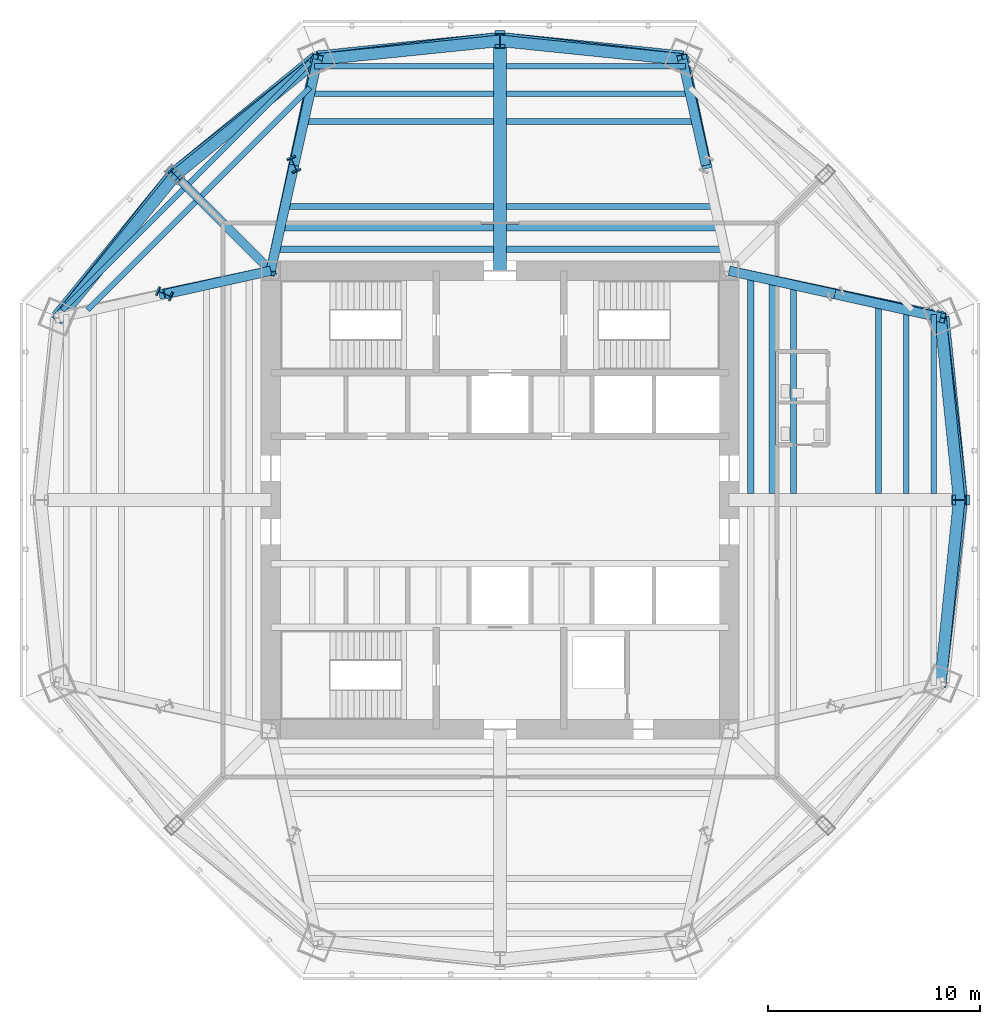
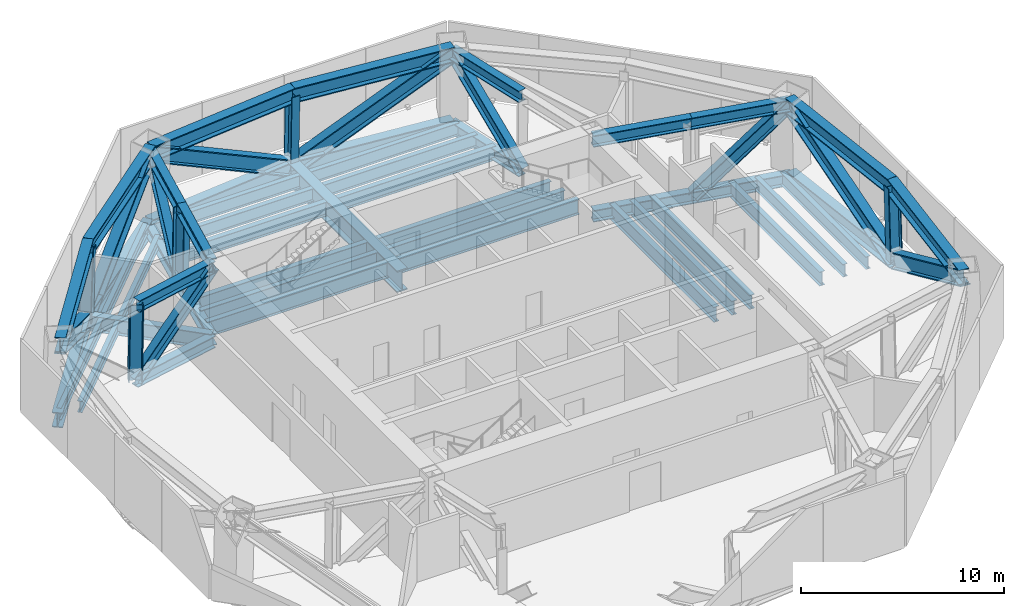
# One storey, part 3 of 10: 39 members, 24 beams.
"""IFC4 building model written with IfcOpenShell, lengths in metres."""

from ifc_helpers import new_model, si_unit, direction, frame, origin, origin_2d, place, context, subcontext, project, spatial, i_section, extrude, source, transform, mapped, material, material_profile, profile_set, type_object, type_shapes, element, save


model = new_model("IFC4")

# Units and contexts
model_context = context("Model", 3, precision=1e-05, world=origin(), true_north=direction((0.0, 1.0)))
body_context = subcontext(model_context, "Body", "Model", "MODEL_VIEW")
ifc_project = project(units=[si_unit("LENGTHUNIT", "METRE"), si_unit("AREAUNIT", "SQUARE_METRE"), si_unit("VOLUMEUNIT", "CUBIC_METRE"), si_unit("PLANEANGLEUNIT", "RADIAN"), si_unit("MASSUNIT", "GRAM", prefix="KILO")], contexts=[model_context])

# Site, building, storey
site_placement = place(None, origin())
site = spatial("IfcSite", under=ifc_project, at=site_placement, CompositionType="ELEMENT")
building_placement = place(site_placement, origin())
building = spatial("IfcBuilding", under=site, at=building_placement, Name="Mashrafa Tower", CompositionType="ELEMENT")
storey_placement = place(building_placement, frame((0.0, 0.0, 193.5)))
storey = spatial("IfcBuildingStorey", under=building, at=storey_placement, Name="L44", CompositionType="ELEMENT", Elevation=193.5)

# Beams
ifc_material_1 = material(Name="Steel ASTM A572 Gr 50", Category="steel")
ifc_material_profile_1 = material_profile(ifc_material_1, i_section(OverallWidth=0.60009765625, OverallDepth=1.300048828125, WebThickness=0.028076171875, FlangeThickness=0.06494140625, at=origin_2d()), Name="H1300X600X28X65")
ifc_profile_set_1 = profile_set([ifc_material_profile_1], Name="Steel ASTM A572 Gr 50")
beam_type_1 = type_object("IfcBeamType", Name="Beam H1300X600X28X65", PredefinedType="BEAM", material=ifc_profile_set_1)
beam_1_placement = place(storey_placement, frame((0.0, 10.800048828125, -0.89990234375), z_axis=(0.0, 1.0, 0.0), x_axis=(-1.0, 0.0, 0.0)))
element("IfcBeam", 1, at=beam_1_placement, inside=storey, type_object=beam_type_1, Name="Radial girder L44 069", PredefinedType="BEAM", context=body_context, shape_type="SweptSolid", body=[
    extrude(i_section(OverallWidth=0.60009765625, OverallDepth=1.300048828125, WebThickness=0.028076171875, FlangeThickness=0.06494140625, at=origin_2d()), origin(), (0.0, 0.0, 1.0), 10.94775390625),
])
ifc_material_2 = material(Name="Steel ASTM A992", Category="steel")
ifc_material_profile_2 = material_profile(ifc_material_2, i_section(OverallWidth=0.256591796875, OverallDepth=0.693359375, WebThickness=0.014404296875, FlangeThickness=0.023681640625, FilletRadius=0.01513671875, at=origin_2d()), Name="W27X114")
ifc_profile_set_2 = profile_set([ifc_material_profile_2], Name="Steel ASTM A992")
beam_type_2 = type_object("IfcBeamType", Name="Beam W27X114", PredefinedType="BEAM", material=ifc_profile_set_2)
for number, where, z_axis, x_axis, name in (
    (2, (-20.617919921875, 8.953125, -0.5966796875), (0.707091595653, 0.707121966394, 0.0), (-0.707121966394, 0.707091595653, 0.0), "Floor beam L44 001"),
    (3, (-14.637451171875, 14.933837890625, -0.5966796875), (0.707121966394, 0.707091595653, 0.0), (-0.707091595653, 0.707121966394, 0.0), "Floor beam L44 010"),
):
    element("IfcBeam", number, at=place(storey_placement, frame(where, z_axis=z_axis, x_axis=x_axis)), inside=storey, type_object=beam_type_2, Name=name, PredefinedType="BEAM", context=body_context, shape_type="SweptSolid", body=[
        extrude(i_section(OverallWidth=0.256591796875, OverallDepth=0.693359375, WebThickness=0.014404296875, FlangeThickness=0.023681640625, FilletRadius=0.01513671875, at=origin_2d()), origin(), (0.0, 0.0, 1.0), 8.03857421875),
    ])
ifc_material_3 = material(Name="Steel ASTM A992", Category="steel")
ifc_material_profile_3 = material_profile(ifc_material_3, i_section(OverallWidth=0.25390625, OverallDepth=0.683349609375, WebThickness=0.012451171875, FlangeThickness=0.01904296875, FilletRadius=0.01513671875, at=origin_2d()), Name="W27X94")
ifc_profile_set_3 = profile_set([ifc_material_profile_3], Name="Steel ASTM A992")
beam_type_3 = type_object("IfcBeamType", Name="Beam W27X94", PredefinedType="BEAM", material=ifc_profile_set_3)
for number, where, z_axis, x_axis, name in (
    (4, (-19.434326171875, 8.95166015625, -0.591552734375), (0.707089833334, 0.707123728633, 0.0), (-0.707123728633, 0.707089833334, 0.0), "Floor beam L44 004"),
    (5, (-14.044921875, 14.34130859375, -0.591552734375), (0.707123728633, 0.707089833334, 0.0), (-0.707089833334, 0.707123728633, 0.0), "Floor beam L44 012"),
):
    element("IfcBeam", number, at=place(storey_placement, frame(where, z_axis=z_axis, x_axis=x_axis)), inside=storey, type_object=beam_type_3, Name=name, PredefinedType="BEAM", context=body_context, shape_type="SweptSolid", body=[
        extrude(i_section(OverallWidth=0.25390625, OverallDepth=0.683349609375, WebThickness=0.012451171875, FlangeThickness=0.01904296875, FilletRadius=0.01513671875, at=origin_2d()), origin(), (0.0, 0.0, 1.0), 7.202880859375),
    ])
ifc_material_4 = material(Name="Steel ASTM A992", Category="steel")
ifc_material_profile_4 = material_profile(ifc_material_4, i_section(OverallWidth=0.2666015625, OverallDepth=0.761962890625, WebThickness=0.014404296875, FlangeThickness=0.021484375, FilletRadius=0.0166015625, at=origin_2d()), Name="W30X116")
ifc_profile_set_4 = profile_set([ifc_material_profile_4], Name="Steel ASTM A992")
beam_type_4 = type_object("IfcBeamType", Name="Beam W30X116", PredefinedType="BEAM", material=ifc_profile_set_4)
beam_2_placement = place(storey_placement, frame((-9.014892578125, 19.139404296875, -0.631103515625), z_axis=(1.0, 0.0, 0.0), x_axis=(0.0, 1.0, 0.0)))
element("IfcBeam", 6, at=beam_2_placement, inside=storey, type_object=beam_type_4, Name="Floor beam L44 023", PredefinedType="BEAM", context=body_context, shape_type="SweptSolid", body=[
    extrude(i_section(OverallWidth=0.2666015625, OverallDepth=0.761962890625, WebThickness=0.014404296875, FlangeThickness=0.021484375, FilletRadius=0.0166015625, at=origin_2d()), origin(), (0.0, 0.0, 1.0), 8.71484375),
])
beam_3_placement = place(storey_placement, frame((-8.735595703125, 20.443603515625, -0.631103515625), z_axis=(1.0, 0.0, 0.0), x_axis=(0.0, 1.0, 0.0)))
element("IfcBeam", 7, at=beam_3_placement, inside=storey, type_object=beam_type_4, Name="Floor beam L44 026", PredefinedType="BEAM", context=body_context, shape_type="SweptSolid", body=[
    extrude(i_section(OverallWidth=0.2666015625, OverallDepth=0.761962890625, WebThickness=0.014404296875, FlangeThickness=0.021484375, FilletRadius=0.0166015625, at=origin_2d()), origin(), (0.0, 0.0, 1.0), 8.435546875),
])
beam_4_placement = place(storey_placement, frame((0.300048828125, 19.139404296875, -0.631103515625), z_axis=(1.0, 0.0, 0.0), x_axis=(0.0, 1.0, 0.0)))
element("IfcBeam", 8, at=beam_4_placement, inside=storey, type_object=beam_type_4, Name="Floor beam L44 037", PredefinedType="BEAM", context=body_context, shape_type="SweptSolid", body=[
    extrude(i_section(OverallWidth=0.2666015625, OverallDepth=0.761962890625, WebThickness=0.014404296875, FlangeThickness=0.021484375, FilletRadius=0.0166015625, at=origin_2d()), origin(), (0.0, 0.0, 1.0), 8.71484375),
])
beam_5_placement = place(storey_placement, frame((0.300048828125, 20.443603515625, -0.631103515625), z_axis=(1.0, 0.0, 0.0), x_axis=(0.0, 1.0, 0.0)))
element("IfcBeam", 9, at=beam_5_placement, inside=storey, type_object=beam_type_4, Name="Floor beam L44 038", PredefinedType="BEAM", context=body_context, shape_type="SweptSolid", body=[
    extrude(i_section(OverallWidth=0.2666015625, OverallDepth=0.761962890625, WebThickness=0.014404296875, FlangeThickness=0.021484375, FilletRadius=0.0166015625, at=origin_2d()), origin(), (0.0, 0.0, 1.0), 8.435546875),
])
beam_6_placement = place(storey_placement, frame((19.139404296875, 9.014892578125, -0.631103515625), z_axis=(0.0, -1.0, 0.0), x_axis=(1.0, 0.0, 0.0)))
element("IfcBeam", 10, at=beam_6_placement, inside=storey, type_object=beam_type_4, Name="Floor beam L44 060", PredefinedType="BEAM", context=body_context, shape_type="SweptSolid", body=[
    extrude(i_section(OverallWidth=0.2666015625, OverallDepth=0.761962890625, WebThickness=0.014404296875, FlangeThickness=0.021484375, FilletRadius=0.0166015625, at=origin_2d()), origin(), (0.0, 0.0, 1.0), 8.71484375),
])
beam_7_placement = place(storey_placement, frame((20.443603515625, 8.735595703125, -0.631103515625), z_axis=(0.0, -1.0, 0.0), x_axis=(1.0, 0.0, 0.0)))
element("IfcBeam", 11, at=beam_7_placement, inside=storey, type_object=beam_type_4, Name="Floor beam L44 063", PredefinedType="BEAM", context=body_context, shape_type="SweptSolid", body=[
    extrude(i_section(OverallWidth=0.2666015625, OverallDepth=0.761962890625, WebThickness=0.014404296875, FlangeThickness=0.021484375, FilletRadius=0.0166015625, at=origin_2d()), origin(), (0.0, 0.0, 1.0), 8.435546875),
])
ifc_material_5 = material(Name="Steel ASTM A992", Category="steel")
ifc_material_profile_5 = material_profile(ifc_material_5, i_section(OverallWidth=0.2919921875, OverallDepth=0.8408203125, WebThickness=0.0146484375, FlangeThickness=0.021728515625, FilletRadius=0.017333984375, at=origin_2d()), Name="W33X130")
ifc_profile_set_5 = profile_set([ifc_material_profile_5], Name="Steel ASTM A992")
beam_type_5 = type_object("IfcBeamType", Name="Beam W33X130", PredefinedType="BEAM", material=ifc_profile_set_5)
for number, where, z_axis, x_axis, name in (
    (12, (-9.294189453125, 17.8349609375, -0.67041015625), (1.0, 0.0, 0.0), (0.0, 1.0, 0.0), "Floor beam L44 022"),
    (13, (0.300048828125, 17.8349609375, -0.67041015625), (1.0, 0.0, 0.0), (0.0, 1.0, 0.0), "Floor beam L44 036"),
    (14, (17.8349609375, 9.294189453125, -0.67041015625), (0.0, -1.0, 0.0), (1.0, 0.0, 0.0), "Floor beam L44 058"),
):
    element("IfcBeam", number, at=place(storey_placement, frame(where, z_axis=z_axis, x_axis=x_axis)), inside=storey, type_object=beam_type_5, Name=name, PredefinedType="BEAM", context=body_context, shape_type="SweptSolid", body=[
        extrude(i_section(OverallWidth=0.2919921875, OverallDepth=0.8408203125, WebThickness=0.0146484375, FlangeThickness=0.021728515625, FilletRadius=0.017333984375, at=origin_2d()), origin(), (0.0, 0.0, 1.0), 8.994140625),
    ])
ifc_material_6 = material(Name="Steel ASTM A992", Category="steel")
ifc_material_profile_6 = material_profile(ifc_material_6, i_section(OverallWidth=0.2919921875, OverallDepth=0.845703125, WebThickness=0.015380859375, FlangeThickness=0.0244140625, FilletRadius=0.017333984375, at=origin_2d()), Name="W33X141")
ifc_profile_set_6 = profile_set([ifc_material_profile_6], Name="Steel ASTM A992")
beam_type_6 = type_object("IfcBeamType", Name="Beam W33X141", PredefinedType="BEAM", material=ifc_profile_set_6)
beam_8_placement = place(storey_placement, frame((-10.366943359375, 12.8232421875, -0.6728515625), z_axis=(1.0, 0.0, 0.0), x_axis=(0.0, 1.0, 0.0)))
element("IfcBeam", 15, at=beam_8_placement, inside=storey, type_object=beam_type_6, Name="Floor beam L44 020", PredefinedType="BEAM", context=body_context, shape_type="SweptSolid", body=[
    extrude(i_section(OverallWidth=0.2919921875, OverallDepth=0.845703125, WebThickness=0.015380859375, FlangeThickness=0.0244140625, FilletRadius=0.017333984375, at=origin_2d()), origin(), (0.0, 0.0, 1.0), 10.06689453125),
])
beam_9_placement = place(storey_placement, frame((-10.150390625, 13.8349609375, -0.6728515625), z_axis=(1.0, 0.0, 0.0), x_axis=(0.0, 1.0, 0.0)))
element("IfcBeam", 16, at=beam_9_placement, inside=storey, type_object=beam_type_6, Name="Floor beam L44 021", PredefinedType="BEAM", context=body_context, shape_type="SweptSolid", body=[
    extrude(i_section(OverallWidth=0.2919921875, OverallDepth=0.845703125, WebThickness=0.015380859375, FlangeThickness=0.0244140625, FilletRadius=0.017333984375, at=origin_2d()), origin(), (0.0, 0.0, 1.0), 9.850341796875),
])
beam_10_placement = place(storey_placement, frame((0.300048828125, 12.8232421875, -0.6728515625), z_axis=(1.0, 0.0, 0.0), x_axis=(0.0, 1.0, 0.0)))
element("IfcBeam", 17, at=beam_10_placement, inside=storey, type_object=beam_type_6, Name="Floor beam L44 034", PredefinedType="BEAM", context=body_context, shape_type="SweptSolid", body=[
    extrude(i_section(OverallWidth=0.2919921875, OverallDepth=0.845703125, WebThickness=0.015380859375, FlangeThickness=0.0244140625, FilletRadius=0.017333984375, at=origin_2d()), origin(), (0.0, 0.0, 1.0), 10.06689453125),
])
beam_11_placement = place(storey_placement, frame((0.300048828125, 13.8349609375, -0.6728515625), z_axis=(1.0, 0.0, 0.0), x_axis=(0.0, 1.0, 0.0)))
element("IfcBeam", 18, at=beam_11_placement, inside=storey, type_object=beam_type_6, Name="Floor beam L44 035", PredefinedType="BEAM", context=body_context, shape_type="SweptSolid", body=[
    extrude(i_section(OverallWidth=0.2919921875, OverallDepth=0.845703125, WebThickness=0.015380859375, FlangeThickness=0.0244140625, FilletRadius=0.017333984375, at=origin_2d()), origin(), (0.0, 0.0, 1.0), 9.850341796875),
])
beam_12_placement = place(storey_placement, frame((12.8232421875, 10.366943359375, -0.6728515625), z_axis=(0.0, -1.0, 0.0), x_axis=(1.0, 0.0, 0.0)))
element("IfcBeam", 19, at=beam_12_placement, inside=storey, type_object=beam_type_6, Name="Floor beam L44 050", PredefinedType="BEAM", context=body_context, shape_type="SweptSolid", body=[
    extrude(i_section(OverallWidth=0.2919921875, OverallDepth=0.845703125, WebThickness=0.015380859375, FlangeThickness=0.0244140625, FilletRadius=0.017333984375, at=origin_2d()), origin(), (0.0, 0.0, 1.0), 10.06689453125),
])
beam_13_placement = place(storey_placement, frame((13.8349609375, 10.150390625, -0.6728515625), z_axis=(0.0, -1.0, 0.0), x_axis=(1.0, 0.0, 0.0)))
element("IfcBeam", 20, at=beam_13_placement, inside=storey, type_object=beam_type_6, Name="Floor beam L44 052", PredefinedType="BEAM", context=body_context, shape_type="SweptSolid", body=[
    extrude(i_section(OverallWidth=0.2919921875, OverallDepth=0.845703125, WebThickness=0.015380859375, FlangeThickness=0.0244140625, FilletRadius=0.017333984375, at=origin_2d()), origin(), (0.0, 0.0, 1.0), 9.850341796875),
])
ifc_material_7 = material(Name="Steel ASTM A992", Category="steel")
ifc_material_profile_7 = material_profile(ifc_material_7, i_section(OverallWidth=0.3046875, OverallDepth=0.911865234375, WebThickness=0.015869140625, FlangeThickness=0.02392578125, FilletRadius=0.01904296875, at=origin_2d()), Name="W36X150")
ifc_profile_set_7 = profile_set([ifc_material_profile_7], Name="Steel ASTM A992")
beam_type_7 = type_object("IfcBeamType", Name="Beam W36X150", PredefinedType="BEAM", material=ifc_profile_set_7)
for number, where, z_axis, x_axis, name in (
    (21, (-10.58349609375, 11.811767578125, -0.705810546875), (1.0, 0.0, 0.0), (0.0, 1.0, 0.0), "Floor beam L44 019"),
    (22, (0.300048828125, 11.811767578125, -0.705810546875), (1.0, 0.0, 0.0), (0.0, 1.0, 0.0), "Floor beam L44 033"),
    (23, (11.811767578125, 10.58349609375, -0.705810546875), (0.0, -1.0, 0.0), (1.0, 0.0, 0.0), "Floor beam L44 048"),
):
    element("IfcBeam", number, at=place(storey_placement, frame(where, z_axis=z_axis, x_axis=x_axis)), inside=storey, type_object=beam_type_7, Name=name, PredefinedType="BEAM", context=body_context, shape_type="SweptSolid", body=[
        extrude(i_section(OverallWidth=0.3046875, OverallDepth=0.911865234375, WebThickness=0.015869140625, FlangeThickness=0.02392578125, FilletRadius=0.01904296875, at=origin_2d()), origin(), (0.0, 0.0, 1.0), 10.283447265625),
    ])
ifc_material_8 = material(Name="Steel ASTM A992", Category="steel")
ifc_material_profile_8 = material_profile(ifc_material_8, i_section(OverallWidth=0.419189453125, OverallDepth=0.927001953125, WebThickness=0.019287109375, FlangeThickness=0.031982421875, FilletRadius=0.020263671875, at=origin_2d()), Name="W36X231")
ifc_profile_set_8 = profile_set([ifc_material_profile_8], Name="Steel ASTM A992")
beam_type_8 = type_object("IfcBeamType", Name="Beam W36X231", PredefinedType="BEAM", material=ifc_profile_set_8)
beam_14_placement = place(storey_placement, frame((-10.800048828125, 10.800048828125, -0.713623046875), z_axis=(-0.707106781187, 0.707106781187, 0.0), x_axis=(-0.707106781187, -0.707106781187, 0.0)))
element("IfcBeam", 24, at=beam_14_placement, inside=storey, type_object=beam_type_8, Name="Radial girder L44 067", PredefinedType="BEAM", context=body_context, shape_type="SweptSolid", body=[
    extrude(i_section(OverallWidth=0.419189453125, OverallDepth=0.927001953125, WebThickness=0.019287109375, FlangeThickness=0.031982421875, FilletRadius=0.020263671875, at=origin_2d()), origin(), (0.0, 0.0, 1.0), 6.474365234375),
])

# Members
ifc_material_9 = material(Name="Steel ASTM A572 Gr 50", Category="steel")
ifc_material_profile_9 = material_profile(ifc_material_9, i_section(OverallWidth=0.449951171875, OverallDepth=0.699951171875, WebThickness=0.028076171875, FlangeThickness=0.044921875, at=origin_2d()), Name="H700X450X28X45")
ifc_profile_set_9 = profile_set([ifc_material_profile_9], Name="Steel ASTM A572 Gr 50")
member_type_1 = type_object("IfcMemberType", Name="Outrigger post H700X450X28X45", PredefinedType="POST", material=ifc_profile_set_9)
shared_shape_1 = source(origin(), body_context, "Body", "SweptSolid", [
    extrude(i_section(OverallWidth=0.449951171875, OverallDepth=0.699951171875, WebThickness=0.028076171875, FlangeThickness=0.044921875, at=origin_2d()), origin(), (0.0, 0.0, 1.0), 4.50048828125),
])
type_shapes(member_type_1, [shared_shape_1])
for number, where, z_axis, x_axis, name in (
    (25, (-9.724853515625, 15.84130859375, -0.699951171875), (0.005858687107, -0.014158493841, 0.999882599527), (0.924016832422, 0.382351792726, 0.0), "Outrigger post MC3 L44"),
    (26, (-15.84130859375, 9.724853515625, -0.699951171875), (0.014158493841, -0.005858687107, 0.999882599527), (0.382351792726, 0.924016832422, 0.0), "Outrigger post MC4 L44"),
):
    element("IfcMember", number, at=place(storey_placement, frame(where, z_axis=z_axis, x_axis=x_axis)), inside=storey, type_object=member_type_1, Name=name, PredefinedType="POST", context=body_context, shape_type="MappedRepresentation", body=[
        mapped(shared_shape_1, transform((0.0, 0.0, 0.0))),
    ])
ifc_material_10 = material(Name="Steel ASTM A572 Gr 50", Category="steel")
ifc_material_profile_10 = material_profile(ifc_material_10, i_section(OverallWidth=0.550048828125, OverallDepth=0.89990234375, WebThickness=0.034912109375, FlangeThickness=0.06005859375, at=origin_2d()), Name="H900X550X35X60")
ifc_profile_set_10 = profile_set([ifc_material_profile_10], Name="Steel ASTM A572 Gr 50")
member_type_2 = type_object("IfcMemberType", Name="Belt truss chord H900X550X35X60", PredefinedType="CHORD", material=ifc_profile_set_10)
shared_shape_2 = source(origin(), body_context, "Body", "SweptSolid", [
    extrude(i_section(OverallWidth=0.550048828125, OverallDepth=0.89990234375, WebThickness=0.034912109375, FlangeThickness=0.06005859375, at=origin_2d()), origin(), (0.0, 0.0, 1.0), 8.6943359375),
])
for number, where, z_axis, x_axis, name in (
    (27, (20.882568359375, 8.64990234375, -0.699951171875), (0.101004930083, -0.994885925169, 0.0), (0.994885925169, 0.101004930083, 0.0), "Belt truss bottom chord east face L44 left"),
    (28, (8.64990234375, 20.882568359375, -0.699951171875), (-0.994885925169, 0.101004930083, 0.0), (-0.101004930083, -0.994885925169, 0.0), "Belt truss bottom chord north face L44 right"),
    (29, (-8.64990234375, 20.882568359375, -0.699951171875), (0.994885925169, 0.101004930083, 0.0), (-0.101004930083, 0.994885925169, 0.0), "Belt truss bottom chord north face L44 left"),
    (30, (-8.64990234375, 20.882568359375, -0.699951171875), (-0.774913520364, -0.632067271702, 0.0), (0.632067271702, -0.774913520364, 0.0), "Belt truss bottom chord north-west face L44 right"),
    (31, (-20.882568359375, 8.64990234375, -0.699951171875), (0.632067271702, 0.774913520364, 0.0), (-0.774913520364, 0.632067271702, 0.0), "Belt truss bottom chord north-west face L44 left"),
):
    element("IfcMember", number, at=place(storey_placement, frame(where, z_axis=z_axis, x_axis=x_axis)), inside=storey, type_object=member_type_2, Name=name, PredefinedType="CHORD", context=body_context, shape_type="MappedRepresentation", body=[
        mapped(shared_shape_2, transform((0.0, 0.0, 0.0))),
    ])
shared_shape_3 = source(origin(), body_context, "Body", "SweptSolid", [
    extrude(i_section(OverallWidth=0.550048828125, OverallDepth=0.89990234375, WebThickness=0.034912109375, FlangeThickness=0.06005859375, at=origin_2d()), origin(), (0.0, 0.0, 1.0), 8.641845703125),
])
for number, where, z_axis, x_axis, name in (
    (32, (20.755126953125, -8.59716796875, 3.800048828125), (0.10161810826, 0.994823481867, 0.0), (-0.994823481867, 0.10161810826, 0.0), "Belt truss top chord east face L44 right"),
    (33, (20.755126953125, 8.59716796875, 3.800048828125), (0.10161810826, -0.994823481867, 0.0), (0.994823481867, 0.10161810826, 0.0), "Belt truss top chord east face L44 left"),
    (34, (8.59716796875, 20.755126953125, 3.800048828125), (-0.994823481867, 0.10161810826, 0.0), (-0.10161810826, -0.994823481867, 0.0), "Belt truss top chord north face L44 right"),
    (35, (-8.59716796875, 20.755126953125, 3.800048828125), (0.994823481867, 0.10161810826, 0.0), (-0.10161810826, 0.994823481867, 0.0), "Belt truss top chord north face L44 left"),
):
    element("IfcMember", number, at=place(storey_placement, frame(where, z_axis=z_axis, x_axis=x_axis)), inside=storey, type_object=member_type_2, Name=name, PredefinedType="CHORD", context=body_context, shape_type="MappedRepresentation", body=[
        mapped(shared_shape_3, transform((0.0, 0.0, 0.0))),
    ])
ifc_material_11 = material(Name="Steel ASTM A572 Gr 50", Category="steel")
ifc_material_profile_11 = material_profile(ifc_material_11, i_section(OverallWidth=0.449951171875, OverallDepth=0.699951171875, WebThickness=0.028076171875, FlangeThickness=0.044921875, at=origin_2d()), Name="H700X450X28X45")
ifc_profile_set_11 = profile_set([ifc_material_profile_11], Name="Steel ASTM A572 Gr 50")
member_type_3 = type_object("IfcMemberType", Name="Belt truss post H700X450X28X45", PredefinedType="POST", material=ifc_profile_set_11)
shared_shape_4 = source(origin(), body_context, "Body", "SweptSolid", [
    extrude(i_section(OverallWidth=0.449951171875, OverallDepth=0.699951171875, WebThickness=0.028076171875, FlangeThickness=0.044921875, at=origin_2d()), origin(), (0.0, 0.0, 1.0), 4.501708984375),
])
type_shapes(member_type_3, [shared_shape_4])
for number, where, z_axis, x_axis, name in (
    (36, (21.7607421875, 0.0, -0.699951171875), (-0.028308962314, 0.0, 0.999599221014), (0.0, -1.0, 0.0), "Belt truss post east face L44"),
    (37, (0.0, 21.7607421875, -0.699951171875), (0.0, -0.028308962314, 0.999599221014), (1.0, 0.0, 0.0), "Belt truss post north face L44"),
    (38, (-15.38720703125, 15.38720703125, -0.699951171875), (0.02001151261, -0.02001151261, 0.999599459147), (0.707106781187, 0.707106781187, 0.0), "Belt truss post north-west face L44"),
):
    element("IfcMember", number, at=place(storey_placement, frame(where, z_axis=z_axis, x_axis=x_axis)), inside=storey, type_object=member_type_3, Name=name, PredefinedType="POST", context=body_context, shape_type="MappedRepresentation", body=[
        mapped(shared_shape_4, transform((0.0, 0.0, 0.0))),
    ])
ifc_material_12 = material(Name="Steel ASTM A572 Gr 50", Category="steel")
ifc_material_profile_12 = material_profile(ifc_material_12, i_section(OverallWidth=0.550048828125, OverallDepth=0.89990234375, WebThickness=0.034912109375, FlangeThickness=0.06005859375, at=origin_2d()), Name="H900X550X35X60")
ifc_profile_set_12 = profile_set([ifc_material_profile_12], Name="Steel ASTM A572 Gr 50")
member_type_4 = type_object("IfcMemberType", Name="Belt truss diagonal H900X550X35X60", PredefinedType="BRACE", material=ifc_profile_set_12)
shared_shape_5 = source(origin(), body_context, "Body", "SweptSolid", [
    extrude(i_section(OverallWidth=0.550048828125, OverallDepth=0.89990234375, WebThickness=0.034912109375, FlangeThickness=0.06005859375, at=origin_2d()), origin(), (0.0, 0.0, 1.0), 9.755615234375),
])
for number, where, z_axis, x_axis, name in (
    (39, (21.7607421875, 0.0, -0.699951171875), (-0.103080370394, -0.881250828609, 0.461271519081), (0.993228357408, -0.116178440511, 0.0), "Belt truss diagonal east face L44 right"),
    (40, (21.7607421875, 0.0, -0.699951171875), (-0.103080370394, 0.881250828609, 0.461271519081), (-0.993228357408, -0.116178440511, 0.0), "Belt truss diagonal east face L44 left"),
    (41, (0.0, 21.7607421875, -0.699951171875), (0.881250828609, -0.103080370394, 0.461271519081), (0.116178440511, 0.993228357408, 0.0), "Belt truss diagonal north face L44 right"),
    (42, (0.0, 21.7607421875, -0.699951171875), (-0.881250828609, -0.103080370394, 0.461271519081), (0.116178440511, -0.993228357408, 0.0), "Belt truss diagonal north face L44 left"),
):
    element("IfcMember", number, at=place(storey_placement, frame(where, z_axis=z_axis, x_axis=x_axis)), inside=storey, type_object=member_type_4, Name=name, PredefinedType="BRACE", context=body_context, shape_type="MappedRepresentation", body=[
        mapped(shared_shape_5, transform((0.0, 0.0, 0.0))),
    ])
shared_shape_6 = source(origin(), body_context, "Body", "SweptSolid", [
    extrude(i_section(OverallWidth=0.550048828125, OverallDepth=0.89990234375, WebThickness=0.034912109375, FlangeThickness=0.06005859375, at=origin_2d()), origin(), (0.0, 0.0, 1.0), 8.6416015625),
])
type_shapes(member_type_2, [shared_shape_2, shared_shape_3, shared_shape_6])
for number, where, z_axis, x_axis, name in (
    (43, (-8.59716796875, 20.755126953125, 3.800048828125), (-0.77530364143, -0.63158868228, 0.0), (0.63158868228, -0.77530364143, 0.0), "Belt truss top chord north-west face L44 right"),
    (44, (-20.755126953125, 8.59716796875, 3.800048828125), (0.63158868228, 0.77530364143, 0.0), (-0.77530364143, 0.63158868228, 0.0), "Belt truss top chord north-west face L44 left"),
):
    element("IfcMember", number, at=place(storey_placement, frame(where, z_axis=z_axis, x_axis=x_axis)), inside=storey, type_object=member_type_2, Name=name, PredefinedType="CHORD", context=body_context, shape_type="MappedRepresentation", body=[
        mapped(shared_shape_6, transform((0.0, 0.0, 0.0))),
    ])
shared_shape_7 = source(origin(), body_context, "Body", "SweptSolid", [
    extrude(i_section(OverallWidth=0.550048828125, OverallDepth=0.89990234375, WebThickness=0.034912109375, FlangeThickness=0.06005859375, at=origin_2d()), origin(), (0.0, 0.0, 1.0), 9.75537109375),
])
type_shapes(member_type_4, [shared_shape_5, shared_shape_7])
for number, where, z_axis, x_axis, name in (
    (45, (-15.38720703125, 15.38720703125, -0.699951171875), (0.696023776232, 0.550247187114, 0.46127967221), (-0.62016817801, 0.78446888465, 0.0), "Belt truss diagonal north-west face L44 right"),
    (46, (-15.38720703125, 15.38720703125, -0.699951171875), (-0.550247187114, -0.696023776232, 0.46127967221), (0.78446888465, -0.62016817801, 0.0), "Belt truss diagonal north-west face L44 left"),
):
    element("IfcMember", number, at=place(storey_placement, frame(where, z_axis=z_axis, x_axis=x_axis)), inside=storey, type_object=member_type_4, Name=name, PredefinedType="BRACE", context=body_context, shape_type="MappedRepresentation", body=[
        mapped(shared_shape_7, transform((0.0, 0.0, 0.0))),
    ])
ifc_material_13 = material(Name="Steel ASTM A572 Gr 50", Category="steel")
ifc_material_profile_13 = material_profile(ifc_material_13, i_section(OverallWidth=0.449951171875, OverallDepth=0.699951171875, WebThickness=0.028076171875, FlangeThickness=0.044921875, at=origin_2d()), Name="H700X450X28X45")
ifc_profile_set_13 = profile_set([ifc_material_profile_13], Name="Steel ASTM A572 Gr 50")
member_type_5 = type_object("IfcMemberType", Name="Outrigger chord H700X450X28X45", PredefinedType="CHORD", material=ifc_profile_set_13)
shared_shape_8 = source(origin(), body_context, "Body", "SweptSolid", [
    extrude(i_section(OverallWidth=0.449951171875, OverallDepth=0.699951171875, WebThickness=0.028076171875, FlangeThickness=0.044921875, at=origin_2d()), origin(), (0.0, 0.0, 1.0), 5.154541015625),
])
for number, where, z_axis, x_axis, name in (
    (47, (10.800048828125, 10.800048828125, -0.699951171875), (0.978003659152, -0.208587733784, 0.0), (0.208587733784, 0.978003659152, 0.0), "Outrigger bottom chord MC1 L44 core end"),
    (48, (15.84130859375, 9.724853515625, -0.699951171875), (0.97801332028, -0.208542430587, 0.0), (0.208542430587, 0.97801332028, 0.0), "Outrigger bottom chord MC1 L44 column end"),
    (49, (9.724853515625, 15.84130859375, -0.699951171875), (-0.208542430587, 0.97801332028, 0.0), (-0.97801332028, -0.208542430587, 0.0), "Outrigger bottom chord MC2 L44 column end"),
    (50, (-10.800048828125, 10.800048828125, -0.699951171875), (0.208587733784, 0.978003659152, 0.0), (-0.978003659152, 0.208587733784, 0.0), "Outrigger bottom chord MC3 L44 core end"),
    (51, (-9.724853515625, 15.84130859375, -0.699951171875), (0.208542430587, 0.97801332028, 0.0), (-0.97801332028, 0.208542430587, 0.0), "Outrigger bottom chord MC3 L44 column end"),
    (52, (-10.800048828125, 10.800048828125, -0.699951171875), (-0.978003659152, -0.208587733784, 0.0), (0.208587733784, -0.978003659152, 0.0), "Outrigger bottom chord MC4 L44 core end"),
):
    element("IfcMember", number, at=place(storey_placement, frame(where, z_axis=z_axis, x_axis=x_axis)), inside=storey, type_object=member_type_5, Name=name, PredefinedType="CHORD", context=body_context, shape_type="MappedRepresentation", body=[
        mapped(shared_shape_8, transform((0.0, 0.0, 0.0))),
    ])
shared_shape_9 = source(origin(), body_context, "Body", "SweptSolid", [
    extrude(i_section(OverallWidth=0.449951171875, OverallDepth=0.699951171875, WebThickness=0.028076171875, FlangeThickness=0.044921875, at=origin_2d()), origin(), (0.0, 0.0, 1.0), 5.097900390625),
])
type_shapes(member_type_5, [shared_shape_8, shared_shape_9])
for number, where, z_axis, x_axis, name in (
    (53, (10.800048828125, 10.800048828125, 3.800048828125), (0.976375993808, -0.216078501278, 0.0), (0.216078501278, 0.976375993808, 0.0), "Outrigger top chord MC1 L44 core end"),
    (54, (15.777587890625, 9.698486328125, 3.800048828125), (0.976386096329, -0.216032846799, 0.0), (0.216032846799, 0.976386096329, 0.0), "Outrigger top chord MC1 L44 column end"),
    (55, (9.698486328125, 15.777587890625, 3.800048828125), (-0.216032846799, 0.976386096329, 0.0), (-0.976386096329, -0.216032846799, 0.0), "Outrigger top chord MC2 L44 column end"),
    (56, (-10.800048828125, 10.800048828125, 3.800048828125), (0.216078501278, 0.976375993808, 0.0), (-0.976375993808, 0.216078501278, 0.0), "Outrigger top chord MC3 L44 core end"),
    (57, (-9.698486328125, 15.777587890625, 3.800048828125), (0.216032846799, 0.976386096329, 0.0), (-0.976386096329, 0.216032846799, 0.0), "Outrigger top chord MC3 L44 column end"),
    (58, (-10.800048828125, 10.800048828125, 3.800048828125), (-0.976375993808, -0.216078501278, 0.0), (0.216078501278, -0.976375993808, 0.0), "Outrigger top chord MC4 L44 core end"),
):
    element("IfcMember", number, at=place(storey_placement, frame(where, z_axis=z_axis, x_axis=x_axis)), inside=storey, type_object=member_type_5, Name=name, PredefinedType="CHORD", context=body_context, shape_type="MappedRepresentation", body=[
        mapped(shared_shape_9, transform((0.0, 0.0, 0.0))),
    ])
ifc_material_14 = material(Name="Steel ASTM A572 Gr 50", Category="steel")
ifc_material_profile_14 = material_profile(ifc_material_14, i_section(OverallWidth=0.449951171875, OverallDepth=0.699951171875, WebThickness=0.028076171875, FlangeThickness=0.044921875, at=origin_2d()), Name="H700X450X28X45")
ifc_profile_set_14 = profile_set([ifc_material_profile_14], Name="Steel ASTM A572 Gr 50")
member_type_6 = type_object("IfcMemberType", Name="Outrigger diagonal H700X450X28X45", PredefinedType="BRACE", material=ifc_profile_set_14)
shared_shape_10 = source(origin(), body_context, "Body", "SweptSolid", [
    extrude(i_section(OverallWidth=0.449951171875, OverallDepth=0.699951171875, WebThickness=0.028076171875, FlangeThickness=0.044921875, at=origin_2d()), origin(), (0.0, 0.0, 1.0), 6.842529296875),
])
for number, where, z_axis, x_axis, name in (
    (59, (-9.724853515625, 15.84130859375, -0.699951171875), (-0.157133960783, -0.736752760266, 0.65765058246), (0.978003659152, -0.208587733784, 0.0), "Outrigger diagonal MC3 L44 core end"),
    (60, (-15.84130859375, 9.724853515625, -0.699951171875), (0.736752760266, 0.157133960783, 0.65765058246), (-0.208587733784, 0.978003659152, 0.0), "Outrigger diagonal MC4 L44 core end"),
):
    element("IfcMember", number, at=place(storey_placement, frame(where, z_axis=z_axis, x_axis=x_axis)), inside=storey, type_object=member_type_6, Name=name, PredefinedType="BRACE", context=body_context, shape_type="MappedRepresentation", body=[
        mapped(shared_shape_10, transform((0.0, 0.0, 0.0))),
    ])
shared_shape_11 = source(origin(), body_context, "Body", "SweptSolid", [
    extrude(i_section(OverallWidth=0.449951171875, OverallDepth=0.699951171875, WebThickness=0.028076171875, FlangeThickness=0.044921875, at=origin_2d()), origin(), (0.0, 0.0, 1.0), 6.7578125),
])
type_shapes(member_type_6, [shared_shape_10, shared_shape_11])
for number, where, z_axis, x_axis, name in (
    (61, (15.84130859375, 9.724853515625, -0.699951171875), (0.727137427768, -0.166872747, 0.66590137967), (0.223678082043, 0.974663077999, 0.0), "Outrigger diagonal MC1 L44 column end"),
    (62, (9.724853515625, 15.84130859375, -0.699951171875), (-0.166872747, 0.727137427768, 0.66590137967), (-0.974663077999, -0.223678082043, 0.0), "Outrigger diagonal MC2 L44 column end"),
    (63, (-9.724853515625, 15.84130859375, -0.699951171875), (0.166872747, 0.727137427768, 0.66590137967), (-0.974663077999, 0.223678082043, 0.0), "Outrigger diagonal MC3 L44 column end"),
):
    element("IfcMember", number, at=place(storey_placement, frame(where, z_axis=z_axis, x_axis=x_axis)), inside=storey, type_object=member_type_6, Name=name, PredefinedType="BRACE", context=body_context, shape_type="MappedRepresentation", body=[
        mapped(shared_shape_11, transform((0.0, 0.0, 0.0))),
    ])

save(model, "model.ifc")
